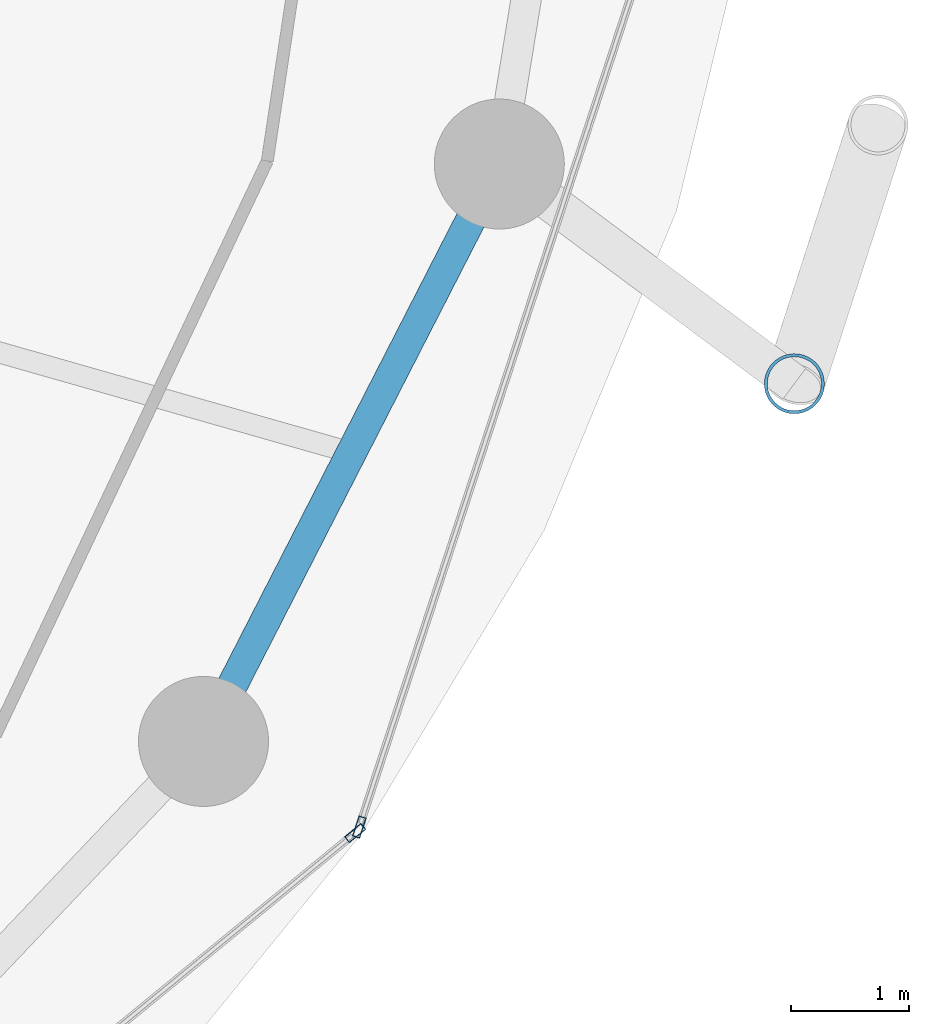
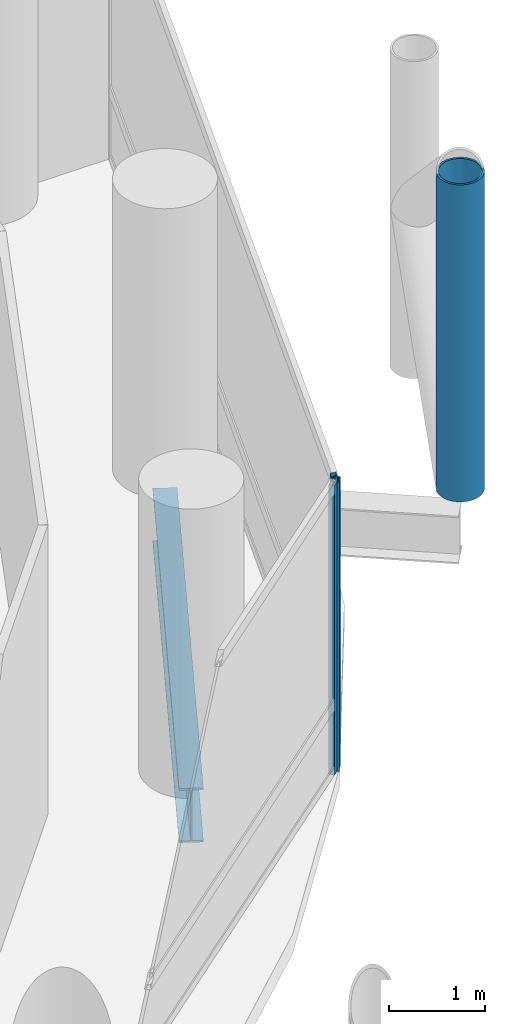
# One storey, part 10 of 27: 3 members, 1 beam, 2 elements without a shape of their own.
"""IFC4 building model written with IfcOpenShell, lengths in metres."""

import ifcopenshell
import ifcopenshell.guid

model = None  # the IFC model being written
_history = None  # IfcOwnerHistory: only IFC2X3 demands one
_inside = {}  # id of a spatial element -> (the spatial element, [elements in it])
_under = {}  # id of a project, library or spatial element -> (it, [spatial elements below it])
_declared = {}  # id of a project -> (the project, [libraries it declares])
_typed = {}  # id of a type object -> (the type object, [elements of that type])
_made_of = {}  # id of a material, layer set ... -> (it, [elements and type objects made of it])


def new_model(schema):
    """Start an empty IFC model of exactly this schema.

    Asked for "IFC4X3", IfcOpenShell would pick the latest addendum, in which some entities
    have other attributes; the version numbers below select the first issue.
    IFC2X3 requires an IfcOwnerHistory on every rooted entity: one is made here for all.
    """
    global model, _history
    if schema == "IFC4X3":
        model = ifcopenshell.file(schema_version=(4, 3, 0, 0))
    else:
        model = ifcopenshell.file(schema=schema)
    _inside.clear()
    _under.clear()
    _declared.clear()
    _typed.clear()
    _made_of.clear()
    _history = None
    if model.schema == "IFC2X3":
        org = make("IfcOrganization", Name="unknown")
        user = make(
            "IfcPersonAndOrganization",
            ThePerson=make("IfcPerson", FamilyName="unknown"),
            TheOrganization=org,
        )
        app = make(
            "IfcApplication",
            ApplicationDeveloper=org,
            Version="unknown",
            ApplicationFullName="unknown",
            ApplicationIdentifier="unknown",
        )
        _history = make(
            "IfcOwnerHistory",
            OwningUser=user,
            OwningApplication=app,
            ChangeAction="ADDED",
            CreationDate=0,
        )
    return model


def make(cls, **values):
    """One entity of the class cls with the attributes given. An attribute that is None is left unset."""
    return model.create_entity(
        cls, **{name: value for name, value in values.items() if value is not None}
    )


def rooted(cls, **values):
    """An entity with a GlobalId (a new one), such as an element, a storey or a relation."""
    return make(cls, GlobalId=ifcopenshell.guid.new(), OwnerHistory=_history, **values)


def si_unit(unit_type, name, prefix=None):
    """IfcSIUnit, for example si_unit("LENGTHUNIT", "METRE", prefix="MILLI")."""
    return make("IfcSIUnit", UnitType=unit_type, Prefix=prefix, Name=name)


def assignment(units):
    """IfcUnitAssignment: the units of a project."""
    return None if units is None else make("IfcUnitAssignment", Units=units)


def point(xyz):
    """IfcCartesianPoint."""
    return None if xyz is None else make("IfcCartesianPoint", Coordinates=xyz)


def direction(xyz):
    """IfcDirection."""
    return None if xyz is None else make("IfcDirection", DirectionRatios=xyz)


def frame(location, z_axis=None, x_axis=None):
    """IfcAxis2Placement3D, a coordinate frame: its origin and axes. An axis left out is left unset."""
    return make(
        "IfcAxis2Placement3D",
        Location=point(location),
        Axis=direction(z_axis),
        RefDirection=direction(x_axis),
    )


def frame_2d(location, x_axis=None):
    """IfcAxis2Placement2D, a coordinate frame in the plane: its origin and x axis."""
    return make(
        "IfcAxis2Placement2D", Location=point(location), RefDirection=direction(x_axis)
    )


def origin():
    """The frame at (0, 0, 0) with its axes left unset."""
    return frame((0.0, 0.0, 0.0))


def origin_2d():
    """The frame at (0, 0) in the plane with its x axis left unset."""
    return frame_2d((0.0, 0.0))


def place(relative_to, where):
    """IfcLocalPlacement: puts the frame where relative to a parent placement (None: the world)."""
    return make(
        "IfcLocalPlacement", PlacementRelTo=relative_to, RelativePlacement=where
    )


def context(
    kind, dimensions, precision=None, world=None, true_north=None, identifier=None
):
    """IfcGeometricRepresentationContext, for example the 3D "Model" context."""
    return make(
        "IfcGeometricRepresentationContext",
        ContextIdentifier=identifier,
        ContextType=kind,
        CoordinateSpaceDimension=dimensions,
        Precision=precision,
        WorldCoordinateSystem=world,
        TrueNorth=true_north,
    )


def subcontext(parent, identifier, kind, view, scale=None):
    """IfcGeometricRepresentationSubContext, for example "Body" below "Model"."""
    return make(
        "IfcGeometricRepresentationSubContext",
        ContextIdentifier=identifier,
        ContextType=kind,
        ParentContext=parent,
        TargetScale=scale,
        TargetView=view,
    )


def project(units=None, contexts=None):
    """IfcProject with its units and contexts."""
    return rooted(
        "IfcProject",
        Name="project",
        RepresentationContexts=contexts,
        UnitsInContext=assignment(units),
    )


def spatial(cls, under=None, at=None, **own):
    """A site, building, storey or space (cls), placed at a placement, below another one or the project."""
    s = rooted(cls, ObjectPlacement=at, **own)
    if under is not None:
        _under.setdefault(under.id(), (under, []))[1].append(s)
    return s


def profile(cls, at=None, kind="AREA", **sizes):
    """A parametric profile (cls). Its sizes go by their IFC names, for example OverallWidth=200.0."""
    return make(cls, ProfileType=kind, Position=at, **sizes)


def hollow_rectangle(**sizes):
    """IfcRectangleHollowProfileDef."""
    return profile("IfcRectangleHollowProfileDef", **sizes)


def hollow_circle(**sizes):
    """IfcCircleHollowProfileDef."""
    return profile("IfcCircleHollowProfileDef", **sizes)


def i_section(**sizes):
    """IfcIShapeProfileDef."""
    return profile("IfcIShapeProfileDef", **sizes)


def extrude(swept, where, along, depth):
    """IfcExtrudedAreaSolid: the profile swept, set in the frame where, extruded along a direction by depth."""
    return make(
        "IfcExtrudedAreaSolid",
        SweptArea=swept,
        Position=where,
        ExtrudedDirection=direction(along),
        Depth=depth,
    )


def shape(context_of_items, identifier, shape_type, items):
    """IfcShapeRepresentation: the items that make up one representation, for example the "Body"."""
    return make(
        "IfcShapeRepresentation",
        ContextOfItems=context_of_items,
        RepresentationIdentifier=identifier,
        RepresentationType=shape_type,
        Items=items,
    )


def material(Name=None, Category=None):
    """IfcMaterial."""
    return make("IfcMaterial", Name=Name, Category=Category)


def layer(
    of_material, thickness, ventilated=None, Name=None, Category=None, Priority=None
):
    """IfcMaterialLayer: one layer of a wall or slab, of a material (None: an air gap)."""
    return make(
        "IfcMaterialLayer",
        Material=of_material,
        LayerThickness=thickness,
        IsVentilated=ventilated,
        Name=Name,
        Category=Category,
        Priority=Priority,
    )


def layer_set(layers, Name=None):
    """IfcMaterialLayerSet."""
    return make("IfcMaterialLayerSet", MaterialLayers=layers, LayerSetName=Name)


def material_profile(
    of_material, cross_section, Name=None, Category=None, Priority=None
):
    """IfcMaterialProfile: a cross section and its material."""
    return make(
        "IfcMaterialProfile",
        Name=Name,
        Material=of_material,
        Profile=cross_section,
        Priority=Priority,
        Category=Category,
    )


def profile_set(profiles, Name=None, composite=None):
    """IfcMaterialProfileSet."""
    return make(
        "IfcMaterialProfileSet",
        Name=Name,
        MaterialProfiles=profiles,
        CompositeProfile=composite,
    )


def made_of(thing, what):
    """Note that an element or type object is made of a material, layer set ...; save() writes the relation."""
    if what is not None:
        _made_of.setdefault(what.id(), (what, []))[1].append(thing)
    return thing


def type_object(cls, material=None, **own):
    """A type object (cls), such as IfcWallType, which elements share."""
    return made_of(rooted(cls, **own), material)


def element(
    cls,
    number,
    at=None,
    inside=None,
    cuts=None,
    type_object=None,
    material=None,
    context=None,
    identifier="Body",
    shape_type=None,
    held_by="IfcProductDefinitionShape",
    body=None,
    shapes=None,
    **own,
):
    """One element of the class cls, such as IfcWall. Its Tag is "e" and its number.

    at: its placement. inside: the storey or other place that contains it. cuts: it is an
    opening in that element (IfcRelVoidsElement). A single representation is given by context,
    identifier, shape_type and body (its items); several are given by shapes. held_by: the class
    of the entity that holds the representations. save() writes the other relations.
    """
    e = rooted(cls, Tag="e%d" % number, ObjectPlacement=at, **own)
    if body is not None:
        shapes = [shape(context, identifier, shape_type, body)]
    if shapes is not None:
        e.Representation = make(held_by, Representations=shapes)
    if inside is not None:
        _inside.setdefault(inside.id(), (inside, []))[1].append(e)
    if cuts is not None:
        rooted(
            "IfcRelVoidsElement", RelatingBuildingElement=cuts, RelatedOpeningElement=e
        )
    if type_object is not None:
        _typed.setdefault(type_object.id(), (type_object, []))[1].append(e)
    return made_of(e, material)


def aggregate(whole, parts):
    """IfcRelAggregates: a whole, such as a stair, and the parts it consists of."""
    return rooted("IfcRelAggregates", RelatingObject=whole, RelatedObjects=parts)


def save(model, path):
    """Write the relations noted so far, then the file.

    IfcRelAggregates (storeys below a building ...), IfcRelContainedInSpatialStructure (elements
    in a storey), IfcRelDefinesByType, IfcRelAssociatesMaterial and IfcRelDeclares: one each for
    every whole, place, type object, material and project.
    """
    for whole, parts in _under.values():
        aggregate(whole, parts)
    for where, things in _inside.values():
        rooted(
            "IfcRelContainedInSpatialStructure",
            RelatedElements=things,
            RelatingStructure=where,
        )
    for kind, things in _typed.values():
        rooted("IfcRelDefinesByType", RelatedObjects=things, RelatingType=kind)
    for what, things in _made_of.values():
        rooted("IfcRelAssociatesMaterial", RelatedObjects=things, RelatingMaterial=what)
    for by, libraries in _declared.values():
        rooted("IfcRelDeclares", RelatingContext=by, RelatedDefinitions=libraries)
    model.write(path)


model = new_model("IFC4")

# Units and contexts
model_context = context("Model", 3, precision=1e-05, world=origin(), true_north=direction((0.0, 1.0)))
body_context = subcontext(model_context, "Body", "Model", "MODEL_VIEW")
ifc_project = project(units=[si_unit("LENGTHUNIT", "METRE"), si_unit("AREAUNIT", "SQUARE_METRE"), si_unit("VOLUMEUNIT", "CUBIC_METRE"), si_unit("PLANEANGLEUNIT", "RADIAN"), si_unit("MASSUNIT", "GRAM", prefix="KILO")], contexts=[model_context])

# Site, building, storey
site_placement = place(None, origin())
site = spatial("IfcSite", under=ifc_project, at=site_placement, CompositionType="ELEMENT")
building_placement = place(site_placement, origin())
building = spatial("IfcBuilding", under=site, at=building_placement, Name="Nuhasar Tower", CompositionType="ELEMENT")
storey_placement = place(building_placement, frame((0.0, 0.0, 102.0)))
storey = spatial("IfcBuildingStorey", under=building, at=storey_placement, Name="L24", CompositionType="ELEMENT", Elevation=102.0)

# Beam
ifc_material_1 = material(Name="Steel S355", Category="steel")
ifc_material_profile_1 = material_profile(ifc_material_1, i_section(OverallWidth=0.256103515625, OverallDepth=0.693115234375, WebThickness=0.014404296875, FlangeThickness=0.023681640625, at=origin_2d()), Name="W27X114")
ifc_profile_set_1 = profile_set([ifc_material_profile_1], Name="Steel S355")
beam_type = type_object("IfcBeamType", Name="BM-RING-W27X114", PredefinedType="SPANDREL", material=ifc_profile_set_1)
beam_placement = place(storey_placement, frame((60.694091796875, 16.675048828125, -0.596923828125), z_axis=(0.455930023905, 0.890015625314, 0.0), x_axis=(-0.890015625314, 0.455930023905, 0.0)))
element("IfcBeam", 1, at=beam_placement, inside=storey, type_object=beam_type, Name="L24 Perimeter Ring Spandrel 23", PredefinedType="SPANDREL", context=body_context, shape_type="SweptSolid", body=[
    extrude(i_section(OverallWidth=0.256103515625, OverallDepth=0.693115234375, WebThickness=0.014404296875, FlangeThickness=0.023681640625, at=origin_2d()), origin(), (0.0, 0.0, 1.0), 5.487548828125),
])

# Curtain wall, member
ifc_material_2 = material(Name="Aluminium 6063-T6", Category="aluminium")
ifc_layer = layer(ifc_material_2, 0.199951171875)
ifc_layer_set = layer_set([ifc_layer], Name="Aluminium 6063-T6")
curtain_wall_type = type_object("IfcCurtainWallType", Name="CW-Z1-OFF", PredefinedType="NOTDEFINED", material=ifc_layer_set)
curtain_wall_1_placement = place(storey_placement, origin())
curtain_wall_1 = element("IfcCurtainWall", 2, at=curtain_wall_1_placement, inside=storey, type_object=curtain_wall_type, Name="L24 Unitised Curtain Wall 11", PredefinedType="NOTDEFINED")
ifc_material_profile_2 = material_profile(ifc_material_2, hollow_rectangle(XDim=0.06494140625, YDim=0.179931640625, WallThickness=0.0048828125, at=origin_2d()), Name="CWM-2")
ifc_profile_set_2 = profile_set([ifc_material_profile_2], Name="Aluminium 6063-T6")
member_type_1 = type_object("IfcMemberType", Name="CW-MUL-S2", PredefinedType="MULLION", material=ifc_profile_set_2)
member_1_placement = place(storey_placement, frame((61.976806640625, 15.8994140625, 0.0), z_axis=(0.0, 0.0, 1.0), x_axis=(-0.633744593376, 0.773542364946, 0.0)))
member_1 = element("IfcMember", 3, at=member_1_placement, type_object=member_type_1, Name="CW-Z1 mullion 2", PredefinedType="MULLION", context=body_context, shape_type="SweptSolid", body=[
    extrude(hollow_rectangle(XDim=0.06494140625, YDim=0.179931640625, WallThickness=0.0048828125, at=origin_2d()), origin(), (0.0, 0.0, 1.0), 3.699951171875),
])
aggregate(curtain_wall_1, [member_1])

curtain_wall_2_placement = place(storey_placement, origin())
curtain_wall_2 = element("IfcCurtainWall", 4, at=curtain_wall_2_placement, inside=storey, type_object=curtain_wall_type, Name="L24 Unitised Curtain Wall 12", PredefinedType="NOTDEFINED")
member_2_placement = place(storey_placement, frame((62.01220703125, 15.950927734375, 0.0), z_axis=(0.0, 0.0, 1.0), x_axis=(-0.950467534571, 0.310823849997, 0.0)))
member_2 = element("IfcMember", 5, at=member_2_placement, type_object=member_type_1, Name="CW-Z1 mullion 1", PredefinedType="MULLION", context=body_context, shape_type="SweptSolid", body=[
    extrude(hollow_rectangle(XDim=0.06494140625, YDim=0.179931640625, WallThickness=0.0048828125, at=origin_2d()), origin(), (0.0, 0.0, 1.0), 3.699951171875),
])
aggregate(curtain_wall_2, [member_2])

# Member
ifc_material_3 = material(Name="Steel S460", Category="steel")
ifc_material_profile_3 = material_profile(ifc_material_3, hollow_circle(Radius=0.25390625, WallThickness=0.025390625, at=origin_2d()), Name="HSS508X25.4")
ifc_profile_set_3 = profile_set([ifc_material_profile_3], Name="Steel S460")
member_type_2 = type_object("IfcMemberType", Name="EXO-BRONZE-508", PredefinedType="BRACE", material=ifc_profile_set_3)
member_3_placement = place(storey_placement, frame((65.69189453125, 19.700927734375, 0.0), z_axis=(0.0, 0.0, 1.0), x_axis=(1.0, 0.0, 0.0)))
element("IfcMember", 6, at=member_3_placement, inside=storey, type_object=member_type_2, Name="L24 Exoskeleton Chord Column EC-12A", PredefinedType="BRACE", context=body_context, shape_type="SweptSolid", body=[
    extrude(hollow_circle(Radius=0.25390625, WallThickness=0.025390625, at=origin_2d()), origin(), (0.0, 0.0, 1.0), 4.050048828125),
])

save(model, "model.ifc")
